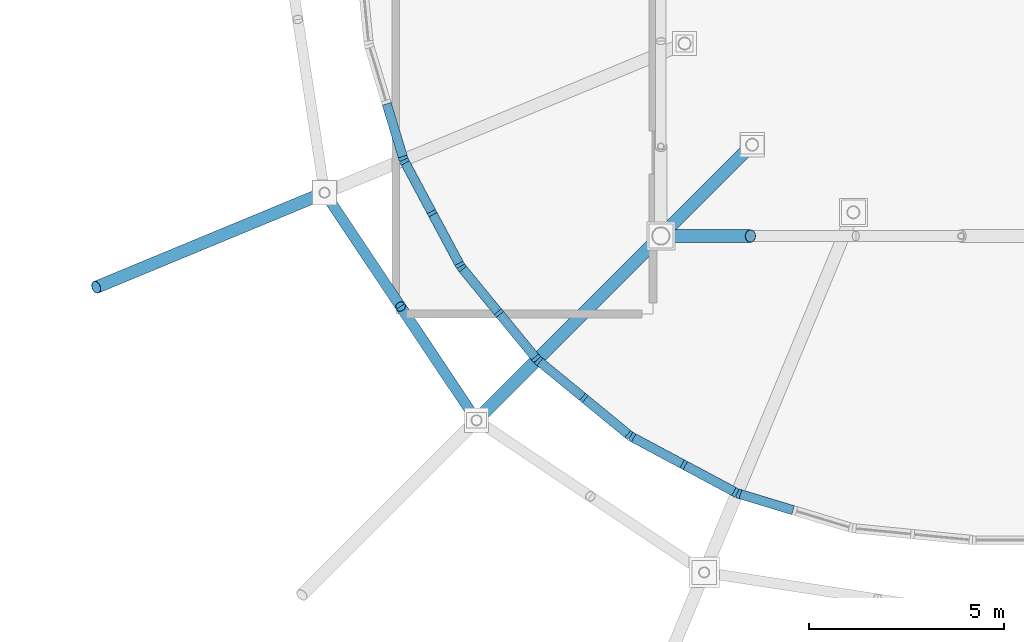
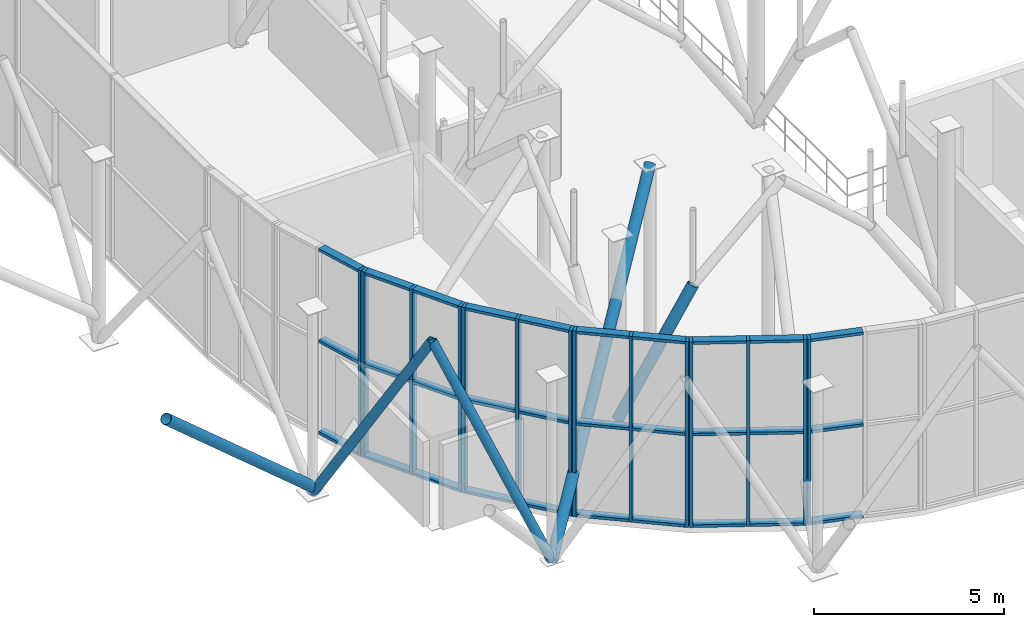
# One storey, part 27 of 109: 49 members, 6 elements without a shape of their own.
"""IFC4 building model written with IfcOpenShell, lengths in metres."""

from ifc_helpers import new_model, si_unit, derived_unit, direction, frame, origin, origin_2d_with_axis, place, context, subcontext, project, spatial, rectangle, hollow_circle, extrude, material, material_profile, profile_set, type_object, element, aggregate, save


model = new_model("IFC4")

# Units and contexts
model_context = context("Model", 3, precision=1e-05, world=origin(), true_north=direction((0.0, 1.0)))
body_context = subcontext(model_context, "Body", "Model", "MODEL_VIEW")
ifc_project = project(units=[si_unit("LENGTHUNIT", "METRE"), si_unit("AREAUNIT", "SQUARE_METRE"), si_unit("VOLUMEUNIT", "CUBIC_METRE"), si_unit("PLANEANGLEUNIT", "RADIAN"), si_unit("MASSUNIT", "GRAM", prefix="KILO"), derived_unit("THERMALTRANSMITTANCEUNIT", [(si_unit("POWERUNIT", "WATT"), 1), (si_unit("LENGTHUNIT", "METRE"), -2), (si_unit("THERMODYNAMICTEMPERATUREUNIT", "KELVIN"), -1)])], contexts=[model_context])

# Site, building, storey
site_placement = place(None, origin())
site = spatial("IfcSite", under=ifc_project, at=site_placement, CompositionType="ELEMENT")
building_placement = place(site_placement, origin())
building = spatial("IfcBuilding", under=site, at=building_placement, Name="Cinnabar Yard Market Hall", CompositionType="ELEMENT")
storey_placement = place(building_placement, frame((0.0, 0.0, 8.39990234375)))
storey = spatial("IfcBuildingStorey", under=building, at=storey_placement, Name="L02", CompositionType="ELEMENT", Elevation=8.39990234375)

# Curtain wall, member
ifc_material_1 = material(Name="Anodised bronze aluminium curved-chord facade", Category="aluminium")
curtain_wall_type = type_object("IfcCurtainWallType", Name="CW-CWC031x60", PredefinedType="NOTDEFINED", material=ifc_material_1)
curtain_wall_1_placement = place(storey_placement, origin())
curtain_wall_1 = element("IfcCurtainWall", 1, at=curtain_wall_1_placement, inside=storey, type_object=curtain_wall_type, Name="Corner SW Chord 2 L02", PredefinedType="NOTDEFINED")
ifc_material_2 = material(Name="Anodised bronze aluminium", Category="aluminium")
ifc_material_profile_1 = material_profile(ifc_material_2, rectangle(XDim=0.239990234375, YDim=0.090087890625, at=origin_2d_with_axis()), Name="MUL-CWC")
ifc_profile_set_1 = profile_set([ifc_material_profile_1], Name="Anodised bronze aluminium")
member_type_1 = type_object("IfcMemberType", Name="CWM-CWC", PredefinedType="MULLION", material=ifc_profile_set_1)
member_1_placement = place(storey_placement, frame((69.3896484375, 25.99658203125, 0.0), z_axis=(0.0, 0.0, 1.0), x_axis=(0.956942090856, 0.290278891325, 0.0)))
member_1 = element("IfcMember", 2, at=member_1_placement, type_object=member_type_1, Name="CWC031x60 mullion 3", PredefinedType="MULLION", context=body_context, shape_type="SweptSolid", body=[
    extrude(rectangle(XDim=0.239990234375, YDim=0.090087890625, at=origin_2d_with_axis()), origin(), (0.0, 0.0, 1.0), 5.97998046875),
])

# Curtain wall, members
curtain_wall_2_placement = place(storey_placement, origin())
curtain_wall_2 = element("IfcCurtainWall", 3, at=curtain_wall_2_placement, inside=storey, type_object=curtain_wall_type, Name="Corner SW Chord 3 L02", PredefinedType="NOTDEFINED")
member_2_placement = place(storey_placement, frame((69.423828125, 25.913818359375, 0.0), z_axis=(0.0, 0.0, 1.0), x_axis=(0.881917320707, 0.471404114786, 0.0)))
member_2 = element("IfcMember", 4, at=member_2_placement, type_object=member_type_1, Name="CWC031x60 mullion 1", PredefinedType="MULLION", context=body_context, shape_type="SweptSolid", body=[
    extrude(rectangle(XDim=0.239990234375, YDim=0.090087890625, at=origin_2d_with_axis()), origin(), (0.0, 0.0, 1.0), 5.97998046875),
])
member_3_placement = place(storey_placement, frame((70.1328125, 24.587890625, 0.0), z_axis=(0.0, 0.0, 1.0), x_axis=(0.881917320707, 0.471404114786, 0.0)))
member_3 = element("IfcMember", 5, at=member_3_placement, type_object=member_type_1, Name="CWC031x60 mullion 2", PredefinedType="MULLION", context=body_context, shape_type="SweptSolid", body=[
    extrude(rectangle(XDim=0.239990234375, YDim=0.090087890625, at=origin_2d_with_axis()), origin(), (0.0, 0.0, 1.0), 5.97998046875),
])
member_4_placement = place(storey_placement, frame((70.841552734375, 23.26171875, 0.0), z_axis=(0.0, 0.0, 1.0), x_axis=(0.881917320707, 0.471404114786, 0.0)))
member_4 = element("IfcMember", 6, at=member_4_placement, type_object=member_type_1, Name="CWC031x60 mullion 3", PredefinedType="MULLION", context=body_context, shape_type="SweptSolid", body=[
    extrude(rectangle(XDim=0.239990234375, YDim=0.090087890625, at=origin_2d_with_axis()), origin(), (0.0, 0.0, 1.0), 5.97998046875),
])

curtain_wall_3_placement = place(storey_placement, origin())
curtain_wall_3 = element("IfcCurtainWall", 7, at=curtain_wall_3_placement, inside=storey, type_object=curtain_wall_type, Name="Corner SW Chord 4 L02", PredefinedType="NOTDEFINED")
member_5_placement = place(storey_placement, frame((70.891357421875, 23.187255859375, 0.0), z_axis=(0.0, 0.0, 1.0), x_axis=(0.773018564222, 0.634383400924, 0.0)))
member_5 = element("IfcMember", 8, at=member_5_placement, type_object=member_type_1, Name="CWC031x60 mullion 1", PredefinedType="MULLION", context=body_context, shape_type="SweptSolid", body=[
    extrude(rectangle(XDim=0.239990234375, YDim=0.090087890625, at=origin_2d_with_axis()), origin(), (0.0, 0.0, 1.0), 5.97998046875),
])
member_6_placement = place(storey_placement, frame((71.84521484375, 22.02490234375, 0.0), z_axis=(0.0, 0.0, 1.0), x_axis=(0.773018564222, 0.634383400924, 0.0)))
member_6 = element("IfcMember", 9, at=member_6_placement, type_object=member_type_1, Name="CWC031x60 mullion 2", PredefinedType="MULLION", context=body_context, shape_type="SweptSolid", body=[
    extrude(rectangle(XDim=0.239990234375, YDim=0.090087890625, at=origin_2d_with_axis()), origin(), (0.0, 0.0, 1.0), 5.97998046875),
])
member_7_placement = place(storey_placement, frame((72.799072265625, 20.862548828125, 0.0), z_axis=(0.0, 0.0, 1.0), x_axis=(0.773018564222, 0.634383400924, 0.0)))
member_7 = element("IfcMember", 10, at=member_7_placement, type_object=member_type_1, Name="CWC031x60 mullion 3", PredefinedType="MULLION", context=body_context, shape_type="SweptSolid", body=[
    extrude(rectangle(XDim=0.239990234375, YDim=0.090087890625, at=origin_2d_with_axis()), origin(), (0.0, 0.0, 1.0), 5.97998046875),
])

curtain_wall_4_placement = place(storey_placement, origin())
curtain_wall_4 = element("IfcCurtainWall", 11, at=curtain_wall_4_placement, inside=storey, type_object=curtain_wall_type, Name="Corner SW Chord 5 L02", PredefinedType="NOTDEFINED")
member_8_placement = place(storey_placement, frame((72.862548828125, 20.799072265625, 0.0), z_axis=(0.0, 0.0, 1.0), x_axis=(0.634383400924, 0.773018564222, 0.0)))
member_8 = element("IfcMember", 12, at=member_8_placement, type_object=member_type_1, Name="CWC031x60 mullion 1", PredefinedType="MULLION", context=body_context, shape_type="SweptSolid", body=[
    extrude(rectangle(XDim=0.239990234375, YDim=0.090087890625, at=origin_2d_with_axis()), origin(), (0.0, 0.0, 1.0), 5.97998046875),
])
member_9_placement = place(storey_placement, frame((74.02490234375, 19.84521484375, 0.0), z_axis=(0.0, 0.0, 1.0), x_axis=(0.634383400924, 0.773018564222, 0.0)))
member_9 = element("IfcMember", 13, at=member_9_placement, type_object=member_type_1, Name="CWC031x60 mullion 2", PredefinedType="MULLION", context=body_context, shape_type="SweptSolid", body=[
    extrude(rectangle(XDim=0.239990234375, YDim=0.090087890625, at=origin_2d_with_axis()), origin(), (0.0, 0.0, 1.0), 5.97998046875),
])
member_10_placement = place(storey_placement, frame((75.187255859375, 18.891357421875, 0.0), z_axis=(0.0, 0.0, 1.0), x_axis=(0.634383400924, 0.773018564222, 0.0)))
member_10 = element("IfcMember", 14, at=member_10_placement, type_object=member_type_1, Name="CWC031x60 mullion 3", PredefinedType="MULLION", context=body_context, shape_type="SweptSolid", body=[
    extrude(rectangle(XDim=0.239990234375, YDim=0.090087890625, at=origin_2d_with_axis()), origin(), (0.0, 0.0, 1.0), 5.97998046875),
])

curtain_wall_5_placement = place(storey_placement, origin())
curtain_wall_5 = element("IfcCurtainWall", 15, at=curtain_wall_5_placement, inside=storey, type_object=curtain_wall_type, Name="Corner SW Chord 6 L02", PredefinedType="NOTDEFINED")
member_11_placement = place(storey_placement, frame((75.26171875, 18.841552734375, 0.0), z_axis=(0.0, 0.0, 1.0), x_axis=(0.471404114786, 0.881917320707, 0.0)))
member_11 = element("IfcMember", 16, at=member_11_placement, type_object=member_type_1, Name="CWC031x60 mullion 1", PredefinedType="MULLION", context=body_context, shape_type="SweptSolid", body=[
    extrude(rectangle(XDim=0.239990234375, YDim=0.090087890625, at=origin_2d_with_axis()), origin(), (0.0, 0.0, 1.0), 5.97998046875),
])
member_12_placement = place(storey_placement, frame((76.587890625, 18.1328125, 0.0), z_axis=(0.0, 0.0, 1.0), x_axis=(0.471404114786, 0.881917320707, 0.0)))
member_12 = element("IfcMember", 17, at=member_12_placement, type_object=member_type_1, Name="CWC031x60 mullion 2", PredefinedType="MULLION", context=body_context, shape_type="SweptSolid", body=[
    extrude(rectangle(XDim=0.239990234375, YDim=0.090087890625, at=origin_2d_with_axis()), origin(), (0.0, 0.0, 1.0), 5.97998046875),
])
member_13_placement = place(storey_placement, frame((77.913818359375, 17.423828125, 0.0), z_axis=(0.0, 0.0, 1.0), x_axis=(0.471404114786, 0.881917320707, 0.0)))
member_13 = element("IfcMember", 18, at=member_13_placement, type_object=member_type_1, Name="CWC031x60 mullion 3", PredefinedType="MULLION", context=body_context, shape_type="SweptSolid", body=[
    extrude(rectangle(XDim=0.239990234375, YDim=0.090087890625, at=origin_2d_with_axis()), origin(), (0.0, 0.0, 1.0), 5.97998046875),
])

# Curtain wall, member
curtain_wall_6_placement = place(storey_placement, origin())
curtain_wall_6 = element("IfcCurtainWall", 19, at=curtain_wall_6_placement, inside=storey, type_object=curtain_wall_type, Name="Corner SW Chord 7 L02", PredefinedType="NOTDEFINED")
member_14_placement = place(storey_placement, frame((77.99658203125, 17.3896484375, 0.0), z_axis=(0.0, 0.0, 1.0), x_axis=(0.290278891325, 0.956942090856, 0.0)))
member_14 = element("IfcMember", 20, at=member_14_placement, type_object=member_type_1, Name="CWC031x60 mullion 1", PredefinedType="MULLION", context=body_context, shape_type="SweptSolid", body=[
    extrude(rectangle(XDim=0.239990234375, YDim=0.090087890625, at=origin_2d_with_axis()), origin(), (0.0, 0.0, 1.0), 5.97998046875),
])

# Member
ifc_material_profile_2 = material_profile(ifc_material_2, rectangle(XDim=0.239990234375, YDim=0.090087890625, at=origin_2d_with_axis()), Name="TRN-CWC")
ifc_profile_set_2 = profile_set([ifc_material_profile_2], Name="Anodised bronze aluminium")
member_type_2 = type_object("IfcMemberType", Name="CWT-CWC", PredefinedType="USERDEFINED", material=ifc_profile_set_2)
member_15_placement = place(storey_placement, frame((68.96630859375, 27.392578125, 0.045166015625), z_axis=(0.290151195166, -0.956980816915, 0.0), x_axis=(0.956980816915, 0.290151195166, 0.0)))
member_15 = element("IfcMember", 21, at=member_15_placement, type_object=member_type_2, Name="CWC031x60 transom 2.1", ObjectType="TRANSOM", PredefinedType="USERDEFINED", context=body_context, shape_type="SweptSolid", body=[
    extrude(rectangle(XDim=0.239990234375, YDim=0.090087890625, at=origin_2d_with_axis()), origin(), (0.0, 0.0, 1.0), 1.41357421875),
])

member_16_placement = place(storey_placement, frame((68.96630859375, 27.392578125, 2.989990234375), z_axis=(0.290151195166, -0.956980816915, 0.0), x_axis=(0.956980816915, 0.290151195166, 0.0)))
member_16 = element("IfcMember", 22, at=member_16_placement, type_object=member_type_2, Name="CWC031x60 transom 2.2", ObjectType="TRANSOM", PredefinedType="USERDEFINED", context=body_context, shape_type="SweptSolid", body=[
    extrude(rectangle(XDim=0.239990234375, YDim=0.090087890625, at=origin_2d_with_axis()), origin(), (0.0, 0.0, 1.0), 1.41357421875),
])

member_17_placement = place(storey_placement, frame((68.96630859375, 27.392578125, 5.93505859375), z_axis=(0.290151195166, -0.956980816915, 0.0), x_axis=(0.956980816915, 0.290151195166, 0.0)))
member_17 = element("IfcMember", 23, at=member_17_placement, type_object=member_type_2, Name="CWC031x60 transom 2.3", ObjectType="TRANSOM", PredefinedType="USERDEFINED", context=body_context, shape_type="SweptSolid", body=[
    extrude(rectangle(XDim=0.239990234375, YDim=0.090087890625, at=origin_2d_with_axis()), origin(), (0.0, 0.0, 1.0), 1.41357421875),
])

aggregate(curtain_wall_1, [member_1, member_15, member_16, member_17])

member_18_placement = place(storey_placement, frame((69.445068359375, 25.874267578125, 0.045166015625), z_axis=(0.471430533224, -0.881903198965, 0.0), x_axis=(0.881903198965, 0.471430533224, 0.0)))
member_18 = element("IfcMember", 24, at=member_18_placement, type_object=member_type_2, Name="CWC031x60 transom 1.1", ObjectType="TRANSOM", PredefinedType="USERDEFINED", context=body_context, shape_type="SweptSolid", body=[
    extrude(rectangle(XDim=0.239990234375, YDim=0.090087890625, at=origin_2d_with_axis()), origin(), (0.0, 0.0, 1.0), 1.413818359375),
])

member_19_placement = place(storey_placement, frame((69.445068359375, 25.874267578125, 2.989990234375), z_axis=(0.471430533224, -0.881903198965, 0.0), x_axis=(0.881903198965, 0.471430533224, 0.0)))
member_19 = element("IfcMember", 25, at=member_19_placement, type_object=member_type_2, Name="CWC031x60 transom 1.2", ObjectType="TRANSOM", PredefinedType="USERDEFINED", context=body_context, shape_type="SweptSolid", body=[
    extrude(rectangle(XDim=0.239990234375, YDim=0.090087890625, at=origin_2d_with_axis()), origin(), (0.0, 0.0, 1.0), 1.413818359375),
])

member_20_placement = place(storey_placement, frame((69.445068359375, 25.874267578125, 5.93505859375), z_axis=(0.471430533224, -0.881903198965, 0.0), x_axis=(0.881903198965, 0.471430533224, 0.0)))
member_20 = element("IfcMember", 26, at=member_20_placement, type_object=member_type_2, Name="CWC031x60 transom 1.3", ObjectType="TRANSOM", PredefinedType="USERDEFINED", context=body_context, shape_type="SweptSolid", body=[
    extrude(rectangle(XDim=0.239990234375, YDim=0.090087890625, at=origin_2d_with_axis()), origin(), (0.0, 0.0, 1.0), 1.413818359375),
])

member_21_placement = place(storey_placement, frame((70.154052734375, 24.548095703125, 0.045166015625), z_axis=(0.471296210365, -0.881974989496, 0.0), x_axis=(0.881974989496, 0.471296210365, 0.0)))
member_21 = element("IfcMember", 27, at=member_21_placement, type_object=member_type_2, Name="CWC031x60 transom 2.1", ObjectType="TRANSOM", PredefinedType="USERDEFINED", context=body_context, shape_type="SweptSolid", body=[
    extrude(rectangle(XDim=0.239990234375, YDim=0.090087890625, at=origin_2d_with_axis()), origin(), (0.0, 0.0, 1.0), 1.41357421875),
])

member_22_placement = place(storey_placement, frame((70.154052734375, 24.548095703125, 2.989990234375), z_axis=(0.471296210365, -0.881974989496, 0.0), x_axis=(0.881974989496, 0.471296210365, 0.0)))
member_22 = element("IfcMember", 28, at=member_22_placement, type_object=member_type_2, Name="CWC031x60 transom 2.2", ObjectType="TRANSOM", PredefinedType="USERDEFINED", context=body_context, shape_type="SweptSolid", body=[
    extrude(rectangle(XDim=0.239990234375, YDim=0.090087890625, at=origin_2d_with_axis()), origin(), (0.0, 0.0, 1.0), 1.41357421875),
])

member_23_placement = place(storey_placement, frame((70.154052734375, 24.548095703125, 5.93505859375), z_axis=(0.471296210365, -0.881974989496, 0.0), x_axis=(0.881974989496, 0.471296210365, 0.0)))
member_23 = element("IfcMember", 29, at=member_23_placement, type_object=member_type_2, Name="CWC031x60 transom 2.3", ObjectType="TRANSOM", PredefinedType="USERDEFINED", context=body_context, shape_type="SweptSolid", body=[
    extrude(rectangle(XDim=0.239990234375, YDim=0.090087890625, at=origin_2d_with_axis()), origin(), (0.0, 0.0, 1.0), 1.41357421875),
])

aggregate(curtain_wall_2, [member_2, member_3, member_4, member_18, member_19, member_20, member_21, member_22, member_23])

member_24_placement = place(storey_placement, frame((70.919921875, 23.15234375, 0.045166015625), z_axis=(0.634356309919, -0.773040795861, 0.0), x_axis=(0.773040795861, 0.634356309919, 0.0)))
member_24 = element("IfcMember", 30, at=member_24_placement, type_object=member_type_2, Name="CWC031x60 transom 1.1", ObjectType="TRANSOM", PredefinedType="USERDEFINED", context=body_context, shape_type="SweptSolid", body=[
    extrude(rectangle(XDim=0.239990234375, YDim=0.090087890625, at=origin_2d_with_axis()), origin(), (0.0, 0.0, 1.0), 1.41357421875),
])

member_25_placement = place(storey_placement, frame((70.919921875, 23.15234375, 2.989990234375), z_axis=(0.634356309919, -0.773040795861, 0.0), x_axis=(0.773040795861, 0.634356309919, 0.0)))
member_25 = element("IfcMember", 31, at=member_25_placement, type_object=member_type_2, Name="CWC031x60 transom 1.2", ObjectType="TRANSOM", PredefinedType="USERDEFINED", context=body_context, shape_type="SweptSolid", body=[
    extrude(rectangle(XDim=0.239990234375, YDim=0.090087890625, at=origin_2d_with_axis()), origin(), (0.0, 0.0, 1.0), 1.41357421875),
])

member_26_placement = place(storey_placement, frame((70.919921875, 23.15234375, 5.93505859375), z_axis=(0.634356309919, -0.773040795861, 0.0), x_axis=(0.773040795861, 0.634356309919, 0.0)))
member_26 = element("IfcMember", 32, at=member_26_placement, type_object=member_type_2, Name="CWC031x60 transom 1.3", ObjectType="TRANSOM", PredefinedType="USERDEFINED", context=body_context, shape_type="SweptSolid", body=[
    extrude(rectangle(XDim=0.239990234375, YDim=0.090087890625, at=origin_2d_with_axis()), origin(), (0.0, 0.0, 1.0), 1.41357421875),
])

member_27_placement = place(storey_placement, frame((71.873779296875, 21.989990234375, 0.045166015625), z_axis=(0.634356309919, -0.773040795861, 0.0), x_axis=(0.773040795861, 0.634356309919, 0.0)))
member_27 = element("IfcMember", 33, at=member_27_placement, type_object=member_type_2, Name="CWC031x60 transom 2.1", ObjectType="TRANSOM", PredefinedType="USERDEFINED", context=body_context, shape_type="SweptSolid", body=[
    extrude(rectangle(XDim=0.239990234375, YDim=0.090087890625, at=origin_2d_with_axis()), origin(), (0.0, 0.0, 1.0), 1.41357421875),
])

member_28_placement = place(storey_placement, frame((71.873779296875, 21.989990234375, 2.989990234375), z_axis=(0.634356309919, -0.773040795861, 0.0), x_axis=(0.773040795861, 0.634356309919, 0.0)))
member_28 = element("IfcMember", 34, at=member_28_placement, type_object=member_type_2, Name="CWC031x60 transom 2.2", ObjectType="TRANSOM", PredefinedType="USERDEFINED", context=body_context, shape_type="SweptSolid", body=[
    extrude(rectangle(XDim=0.239990234375, YDim=0.090087890625, at=origin_2d_with_axis()), origin(), (0.0, 0.0, 1.0), 1.41357421875),
])

member_29_placement = place(storey_placement, frame((71.873779296875, 21.989990234375, 5.93505859375), z_axis=(0.634356309919, -0.773040795861, 0.0), x_axis=(0.773040795861, 0.634356309919, 0.0)))
member_29 = element("IfcMember", 35, at=member_29_placement, type_object=member_type_2, Name="CWC031x60 transom 2.3", ObjectType="TRANSOM", PredefinedType="USERDEFINED", context=body_context, shape_type="SweptSolid", body=[
    extrude(rectangle(XDim=0.239990234375, YDim=0.090087890625, at=origin_2d_with_axis()), origin(), (0.0, 0.0, 1.0), 1.41357421875),
])

aggregate(curtain_wall_3, [member_5, member_6, member_7, member_24, member_25, member_26, member_27, member_28, member_29])

member_30_placement = place(storey_placement, frame((72.897216796875, 20.7705078125, 0.045166015625), z_axis=(0.773040795861, -0.634356309919, 0.0), x_axis=(0.634356309919, 0.773040795861, 0.0)))
member_30 = element("IfcMember", 36, at=member_30_placement, type_object=member_type_2, Name="CWC031x60 transom 1.1", ObjectType="TRANSOM", PredefinedType="USERDEFINED", context=body_context, shape_type="SweptSolid", body=[
    extrude(rectangle(XDim=0.239990234375, YDim=0.090087890625, at=origin_2d_with_axis()), origin(), (0.0, 0.0, 1.0), 1.41357421875),
])

member_31_placement = place(storey_placement, frame((72.897216796875, 20.7705078125, 2.989990234375), z_axis=(0.773040795861, -0.634356309919, 0.0), x_axis=(0.634356309919, 0.773040795861, 0.0)))
member_31 = element("IfcMember", 37, at=member_31_placement, type_object=member_type_2, Name="CWC031x60 transom 1.2", ObjectType="TRANSOM", PredefinedType="USERDEFINED", context=body_context, shape_type="SweptSolid", body=[
    extrude(rectangle(XDim=0.239990234375, YDim=0.090087890625, at=origin_2d_with_axis()), origin(), (0.0, 0.0, 1.0), 1.41357421875),
])

member_32_placement = place(storey_placement, frame((72.897216796875, 20.7705078125, 5.93505859375), z_axis=(0.773040795861, -0.634356309919, 0.0), x_axis=(0.634356309919, 0.773040795861, 0.0)))
member_32 = element("IfcMember", 38, at=member_32_placement, type_object=member_type_2, Name="CWC031x60 transom 1.3", ObjectType="TRANSOM", PredefinedType="USERDEFINED", context=body_context, shape_type="SweptSolid", body=[
    extrude(rectangle(XDim=0.239990234375, YDim=0.090087890625, at=origin_2d_with_axis()), origin(), (0.0, 0.0, 1.0), 1.41357421875),
])

member_33_placement = place(storey_placement, frame((74.0595703125, 19.816650390625, 0.045166015625), z_axis=(0.773040795861, -0.634356309919, 0.0), x_axis=(0.634356309919, 0.773040795861, 0.0)))
member_33 = element("IfcMember", 39, at=member_33_placement, type_object=member_type_2, Name="CWC031x60 transom 2.1", ObjectType="TRANSOM", PredefinedType="USERDEFINED", context=body_context, shape_type="SweptSolid", body=[
    extrude(rectangle(XDim=0.239990234375, YDim=0.090087890625, at=origin_2d_with_axis()), origin(), (0.0, 0.0, 1.0), 1.41357421875),
])

member_34_placement = place(storey_placement, frame((74.0595703125, 19.816650390625, 2.989990234375), z_axis=(0.773040795861, -0.634356309919, 0.0), x_axis=(0.634356309919, 0.773040795861, 0.0)))
member_34 = element("IfcMember", 40, at=member_34_placement, type_object=member_type_2, Name="CWC031x60 transom 2.2", ObjectType="TRANSOM", PredefinedType="USERDEFINED", context=body_context, shape_type="SweptSolid", body=[
    extrude(rectangle(XDim=0.239990234375, YDim=0.090087890625, at=origin_2d_with_axis()), origin(), (0.0, 0.0, 1.0), 1.41357421875),
])

member_35_placement = place(storey_placement, frame((74.0595703125, 19.816650390625, 5.93505859375), z_axis=(0.773040795861, -0.634356309919, 0.0), x_axis=(0.634356309919, 0.773040795861, 0.0)))
member_35 = element("IfcMember", 41, at=member_35_placement, type_object=member_type_2, Name="CWC031x60 transom 2.3", ObjectType="TRANSOM", PredefinedType="USERDEFINED", context=body_context, shape_type="SweptSolid", body=[
    extrude(rectangle(XDim=0.239990234375, YDim=0.090087890625, at=origin_2d_with_axis()), origin(), (0.0, 0.0, 1.0), 1.41357421875),
])

aggregate(curtain_wall_4, [member_8, member_9, member_10, member_30, member_31, member_32, member_33, member_34, member_35])

member_36_placement = place(storey_placement, frame((75.30126953125, 18.8203125, 0.045166015625), z_axis=(0.881974989496, -0.471296210365, 0.0), x_axis=(0.471296210365, 0.881974989496, 0.0)))
member_36 = element("IfcMember", 42, at=member_36_placement, type_object=member_type_2, Name="CWC031x60 transom 1.1", ObjectType="TRANSOM", PredefinedType="USERDEFINED", context=body_context, shape_type="SweptSolid", body=[
    extrude(rectangle(XDim=0.239990234375, YDim=0.090087890625, at=origin_2d_with_axis()), origin(), (0.0, 0.0, 1.0), 1.41357421875),
])

member_37_placement = place(storey_placement, frame((75.30126953125, 18.8203125, 2.989990234375), z_axis=(0.881974989496, -0.471296210365, 0.0), x_axis=(0.471296210365, 0.881974989496, 0.0)))
member_37 = element("IfcMember", 43, at=member_37_placement, type_object=member_type_2, Name="CWC031x60 transom 1.2", ObjectType="TRANSOM", PredefinedType="USERDEFINED", context=body_context, shape_type="SweptSolid", body=[
    extrude(rectangle(XDim=0.239990234375, YDim=0.090087890625, at=origin_2d_with_axis()), origin(), (0.0, 0.0, 1.0), 1.41357421875),
])

member_38_placement = place(storey_placement, frame((75.30126953125, 18.8203125, 5.93505859375), z_axis=(0.881974989496, -0.471296210365, 0.0), x_axis=(0.471296210365, 0.881974989496, 0.0)))
member_38 = element("IfcMember", 44, at=member_38_placement, type_object=member_type_2, Name="CWC031x60 transom 1.3", ObjectType="TRANSOM", PredefinedType="USERDEFINED", context=body_context, shape_type="SweptSolid", body=[
    extrude(rectangle(XDim=0.239990234375, YDim=0.090087890625, at=origin_2d_with_axis()), origin(), (0.0, 0.0, 1.0), 1.41357421875),
])

member_39_placement = place(storey_placement, frame((76.62744140625, 18.111572265625, 0.045166015625), z_axis=(0.881903198965, -0.471430533224, 0.0), x_axis=(0.471430533224, 0.881903198965, 0.0)))
member_39 = element("IfcMember", 45, at=member_39_placement, type_object=member_type_2, Name="CWC031x60 transom 2.1", ObjectType="TRANSOM", PredefinedType="USERDEFINED", context=body_context, shape_type="SweptSolid", body=[
    extrude(rectangle(XDim=0.239990234375, YDim=0.090087890625, at=origin_2d_with_axis()), origin(), (0.0, 0.0, 1.0), 1.413818359375),
])

member_40_placement = place(storey_placement, frame((76.62744140625, 18.111572265625, 2.989990234375), z_axis=(0.881903198965, -0.471430533224, 0.0), x_axis=(0.471430533224, 0.881903198965, 0.0)))
member_40 = element("IfcMember", 46, at=member_40_placement, type_object=member_type_2, Name="CWC031x60 transom 2.2", ObjectType="TRANSOM", PredefinedType="USERDEFINED", context=body_context, shape_type="SweptSolid", body=[
    extrude(rectangle(XDim=0.239990234375, YDim=0.090087890625, at=origin_2d_with_axis()), origin(), (0.0, 0.0, 1.0), 1.413818359375),
])

member_41_placement = place(storey_placement, frame((76.62744140625, 18.111572265625, 5.93505859375), z_axis=(0.881903198965, -0.471430533224, 0.0), x_axis=(0.471430533224, 0.881903198965, 0.0)))
member_41 = element("IfcMember", 47, at=member_41_placement, type_object=member_type_2, Name="CWC031x60 transom 2.3", ObjectType="TRANSOM", PredefinedType="USERDEFINED", context=body_context, shape_type="SweptSolid", body=[
    extrude(rectangle(XDim=0.239990234375, YDim=0.090087890625, at=origin_2d_with_axis()), origin(), (0.0, 0.0, 1.0), 1.413818359375),
])

aggregate(curtain_wall_5, [member_11, member_12, member_13, member_36, member_37, member_38, member_39, member_40, member_41])

member_42_placement = place(storey_placement, frame((78.039794921875, 17.37646484375, 0.045166015625), z_axis=(0.956980816915, -0.290151195166, 0.0), x_axis=(0.290151195166, 0.956980816915, 0.0)))
member_42 = element("IfcMember", 48, at=member_42_placement, type_object=member_type_2, Name="CWC031x60 transom 1.1", ObjectType="TRANSOM", PredefinedType="USERDEFINED", context=body_context, shape_type="SweptSolid", body=[
    extrude(rectangle(XDim=0.239990234375, YDim=0.090087890625, at=origin_2d_with_axis()), origin(), (0.0, 0.0, 1.0), 1.41357421875),
])

member_43_placement = place(storey_placement, frame((78.039794921875, 17.37646484375, 2.989990234375), z_axis=(0.956980816915, -0.290151195166, 0.0), x_axis=(0.290151195166, 0.956980816915, 0.0)))
member_43 = element("IfcMember", 49, at=member_43_placement, type_object=member_type_2, Name="CWC031x60 transom 1.2", ObjectType="TRANSOM", PredefinedType="USERDEFINED", context=body_context, shape_type="SweptSolid", body=[
    extrude(rectangle(XDim=0.239990234375, YDim=0.090087890625, at=origin_2d_with_axis()), origin(), (0.0, 0.0, 1.0), 1.41357421875),
])

member_44_placement = place(storey_placement, frame((78.039794921875, 17.37646484375, 5.93505859375), z_axis=(0.956980816915, -0.290151195166, 0.0), x_axis=(0.290151195166, 0.956980816915, 0.0)))
member_44 = element("IfcMember", 50, at=member_44_placement, type_object=member_type_2, Name="CWC031x60 transom 1.3", ObjectType="TRANSOM", PredefinedType="USERDEFINED", context=body_context, shape_type="SweptSolid", body=[
    extrude(rectangle(XDim=0.239990234375, YDim=0.090087890625, at=origin_2d_with_axis()), origin(), (0.0, 0.0, 1.0), 1.41357421875),
])

aggregate(curtain_wall_6, [member_14, member_42, member_43, member_44])

# Members
ifc_material_3 = material(Name="Spotted-gum glulam-clad steel Grade 350 (350 MPa)", Category="steel")
ifc_material_profile_3 = material_profile(ifc_material_3, hollow_circle(Radius=0.136474609375, WallThickness=0.00927734375, at=origin_2d_with_axis()), Name="273.1x9.3CHS")
ifc_profile_set_3 = profile_set([ifc_material_profile_3], Name="Spotted-gum glulam-clad steel Grade 350 (350 MPa)")
member_type_3 = type_object("IfcMemberType", Name="MB-AR01E", PredefinedType="USERDEFINED", material=ifc_profile_set_3)
for number, where, z_axis, x_axis, name in (
    (51, (67.3701171875, 25.11181640625, 0.0), (0.281322020966, -0.42105010271, 0.862307793962), (0.831482988253, 0.555550213974, 0.0), "Corner Pointed Arch SW 2A"),
    (52, (71.272216796875, 19.272216796875, 0.0), (-0.281358609512, 0.421016968363, 0.862312034709), (-0.831429412037, -0.555630392257, 0.0), "Corner Pointed Arch SW 2B"),
):
    element("IfcMember", number, at=place(storey_placement, frame(where, z_axis=z_axis, x_axis=x_axis)), inside=storey, type_object=member_type_3, Name=name, ObjectType="ARCH RIB", PredefinedType="USERDEFINED", context=body_context, shape_type="SweptSolid", body=[
        extrude(hollow_circle(Radius=0.136474609375, WallThickness=0.00927734375, at=origin_2d_with_axis()), origin(), (0.0, 0.0, 1.0), 6.934814453125),
    ])
ifc_material_profile_4 = material_profile(ifc_material_3, hollow_circle(Radius=0.161865234375, WallThickness=0.009521484375, at=origin_2d_with_axis()), Name="323.9x9.5CHS")
ifc_profile_set_4 = profile_set([ifc_material_profile_4], Name="Spotted-gum glulam-clad steel Grade 350 (350 MPa)")
member_type_4 = type_object("IfcMemberType", Name="MB-ST01", PredefinedType="STRUT", material=ifc_profile_set_4)
member_45_placement = place(storey_placement, frame((76.0, 24.0, 0.0), z_axis=(0.543744165176, 0.0, 0.839251024925), x_axis=(0.0, 1.0, 0.0)))
element("IfcMember", 53, at=member_45_placement, inside=storey, type_object=member_type_4, Name="Curved Branch Arm Lower 0001", PredefinedType="STRUT", context=body_context, shape_type="SweptSolid", body=[
    extrude(hollow_circle(Radius=0.161865234375, WallThickness=0.009521484375, at=origin_2d_with_axis()), origin(), (0.0, 0.0, 1.0), 4.22998046875),
])
ifc_material_profile_5 = material_profile(ifc_material_3, hollow_circle(Radius=0.161865234375, WallThickness=0.009521484375, at=origin_2d_with_axis()), Name="323.9x9.5CHS")
ifc_profile_set_5 = profile_set([ifc_material_profile_5], Name="Spotted-gum glulam-clad steel Grade 350 (350 MPa)")
member_type_5 = type_object("IfcMemberType", Name="MB-ST01E", PredefinedType="STRUT", material=ifc_profile_set_5)
member_46_placement = place(storey_placement, frame((67.3701171875, 25.11181640625, 0.2001953125), z_axis=(-0.68704037604, -0.284586831322, 0.668570009145), x_axis=(0.382689618566, -0.923876970079, 0.0)))
element("IfcMember", 54, at=member_46_placement, inside=storey, type_object=member_type_5, Name="Corner Chhajja Bracket Arm SW-2", PredefinedType="STRUT", context=body_context, shape_type="SweptSolid", body=[
    extrude(hollow_circle(Radius=0.161865234375, WallThickness=0.009521484375, at=origin_2d_with_axis()), origin(), (0.0, 0.0, 1.0), 8.525634765625),
])
member_47_placement = place(storey_placement, frame((71.272216796875, 19.272216796875, 0.0), z_axis=(0.606868367863, 0.606868367863, 0.513246108778), x_axis=(-0.707106781187, 0.707106781187, 0.0)))
element("IfcMember", 55, at=member_47_placement, inside=storey, type_object=member_type_5, Name="Corner Radial Inward Arm SW-4", PredefinedType="STRUT", context=body_context, shape_type="SweptSolid", body=[
    extrude(hollow_circle(Radius=0.161865234375, WallThickness=0.009521484375, at=origin_2d_with_axis()), origin(), (0.0, 0.0, 1.0), 11.6513671875),
])

save(model, "model.ifc")
